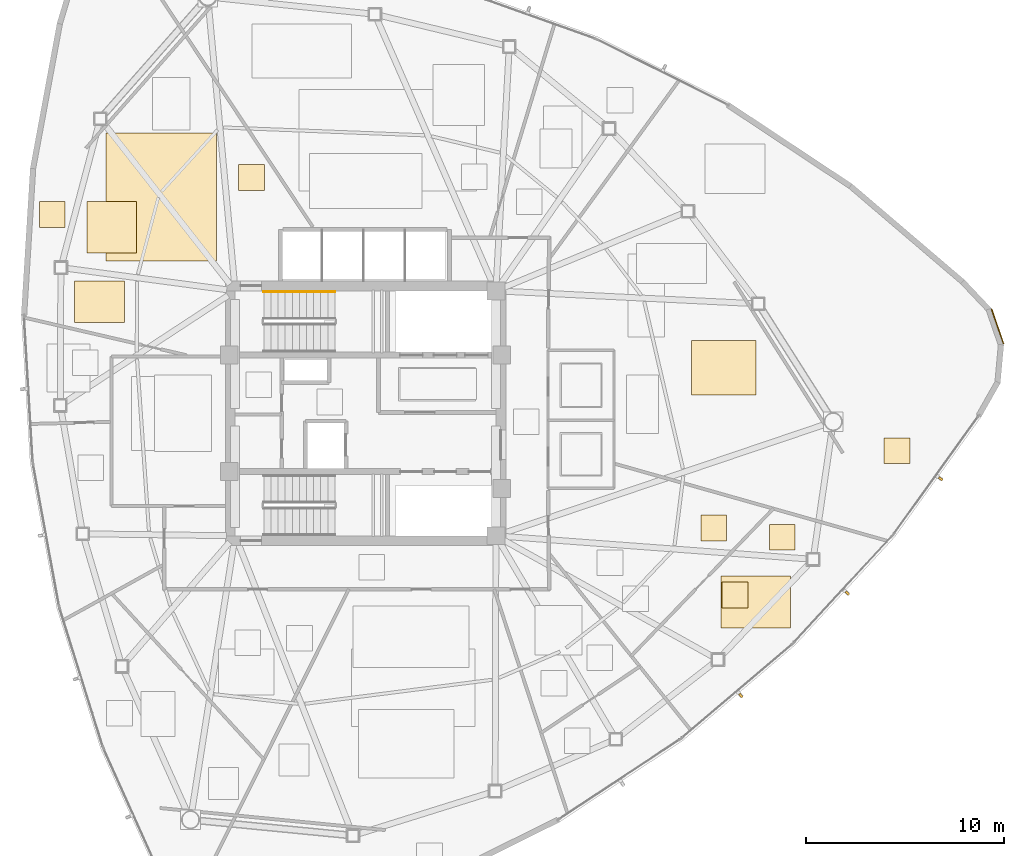
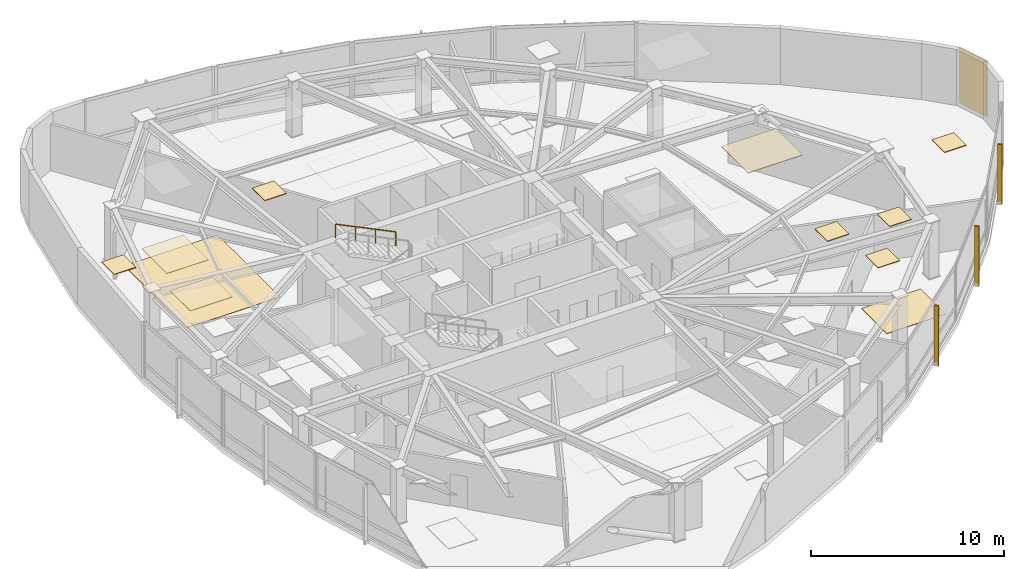
# One storey, part 16 of 17: 12 coverings, 3 shading devices, 1 railing.
"""IFC4 building model written with IfcOpenShell, lengths in metres."""

import ifcopenshell
import ifcopenshell.guid

model = None  # the IFC model being written
_history = None  # IfcOwnerHistory: only IFC2X3 demands one
_inside = {}  # id of a spatial element -> (the spatial element, [elements in it])
_under = {}  # id of a project, library or spatial element -> (it, [spatial elements below it])
_declared = {}  # id of a project -> (the project, [libraries it declares])
_typed = {}  # id of a type object -> (the type object, [elements of that type])
_made_of = {}  # id of a material, layer set ... -> (it, [elements and type objects made of it])


def new_model(schema):
    """Start an empty IFC model of exactly this schema.

    Asked for "IFC4X3", IfcOpenShell would pick the latest addendum, in which some entities
    have other attributes; the version numbers below select the first issue.
    IFC2X3 requires an IfcOwnerHistory on every rooted entity: one is made here for all.
    """
    global model, _history
    if schema == "IFC4X3":
        model = ifcopenshell.file(schema_version=(4, 3, 0, 0))
    else:
        model = ifcopenshell.file(schema=schema)
    _inside.clear()
    _under.clear()
    _declared.clear()
    _typed.clear()
    _made_of.clear()
    _history = None
    if model.schema == "IFC2X3":
        org = make("IfcOrganization", Name="unknown")
        user = make(
            "IfcPersonAndOrganization",
            ThePerson=make("IfcPerson", FamilyName="unknown"),
            TheOrganization=org,
        )
        app = make(
            "IfcApplication",
            ApplicationDeveloper=org,
            Version="unknown",
            ApplicationFullName="unknown",
            ApplicationIdentifier="unknown",
        )
        _history = make(
            "IfcOwnerHistory",
            OwningUser=user,
            OwningApplication=app,
            ChangeAction="ADDED",
            CreationDate=0,
        )
    return model


def make(cls, **values):
    """One entity of the class cls with the attributes given. An attribute that is None is left unset."""
    return model.create_entity(
        cls, **{name: value for name, value in values.items() if value is not None}
    )


def rooted(cls, **values):
    """An entity with a GlobalId (a new one), such as an element, a storey or a relation."""
    return make(cls, GlobalId=ifcopenshell.guid.new(), OwnerHistory=_history, **values)


def si_unit(unit_type, name, prefix=None):
    """IfcSIUnit, for example si_unit("LENGTHUNIT", "METRE", prefix="MILLI")."""
    return make("IfcSIUnit", UnitType=unit_type, Prefix=prefix, Name=name)


def assignment(units):
    """IfcUnitAssignment: the units of a project."""
    return None if units is None else make("IfcUnitAssignment", Units=units)


def point(xyz):
    """IfcCartesianPoint."""
    return None if xyz is None else make("IfcCartesianPoint", Coordinates=xyz)


def direction(xyz):
    """IfcDirection."""
    return None if xyz is None else make("IfcDirection", DirectionRatios=xyz)


def frame(location, z_axis=None, x_axis=None):
    """IfcAxis2Placement3D, a coordinate frame: its origin and axes. An axis left out is left unset."""
    return make(
        "IfcAxis2Placement3D",
        Location=point(location),
        Axis=direction(z_axis),
        RefDirection=direction(x_axis),
    )


def frame_2d(location, x_axis=None):
    """IfcAxis2Placement2D, a coordinate frame in the plane: its origin and x axis."""
    return make(
        "IfcAxis2Placement2D", Location=point(location), RefDirection=direction(x_axis)
    )


def origin():
    """The frame at (0, 0, 0) with its axes left unset."""
    return frame((0.0, 0.0, 0.0))


def origin_2d():
    """The frame at (0, 0) in the plane with its x axis left unset."""
    return frame_2d((0.0, 0.0))


def place(relative_to, where):
    """IfcLocalPlacement: puts the frame where relative to a parent placement (None: the world)."""
    return make(
        "IfcLocalPlacement", PlacementRelTo=relative_to, RelativePlacement=where
    )


def context(
    kind, dimensions, precision=None, world=None, true_north=None, identifier=None
):
    """IfcGeometricRepresentationContext, for example the 3D "Model" context."""
    return make(
        "IfcGeometricRepresentationContext",
        ContextIdentifier=identifier,
        ContextType=kind,
        CoordinateSpaceDimension=dimensions,
        Precision=precision,
        WorldCoordinateSystem=world,
        TrueNorth=true_north,
    )


def subcontext(parent, identifier, kind, view, scale=None):
    """IfcGeometricRepresentationSubContext, for example "Body" below "Model"."""
    return make(
        "IfcGeometricRepresentationSubContext",
        ContextIdentifier=identifier,
        ContextType=kind,
        ParentContext=parent,
        TargetScale=scale,
        TargetView=view,
    )


def project(units=None, contexts=None):
    """IfcProject with its units and contexts."""
    return rooted(
        "IfcProject",
        Name="project",
        RepresentationContexts=contexts,
        UnitsInContext=assignment(units),
    )


def spatial(cls, under=None, at=None, **own):
    """A site, building, storey or space (cls), placed at a placement, below another one or the project."""
    s = rooted(cls, ObjectPlacement=at, **own)
    if under is not None:
        _under.setdefault(under.id(), (under, []))[1].append(s)
    return s


def polyline(points):
    """IfcPolyline through the points."""
    return make("IfcPolyline", Points=[point(p) for p in points])


def profile(cls, at=None, kind="AREA", **sizes):
    """A parametric profile (cls). Its sizes go by their IFC names, for example OverallWidth=200.0."""
    return make(cls, ProfileType=kind, Position=at, **sizes)


def rectangle(**sizes):
    """IfcRectangleProfileDef."""
    return profile("IfcRectangleProfileDef", **sizes)


def outline(outer, holes=None, kind="AREA"):
    """IfcArbitraryClosedProfileDef: a profile drawn as a closed curve; with holes, ...WithVoids."""
    if holes is None:
        return make("IfcArbitraryClosedProfileDef", ProfileType=kind, OuterCurve=outer)
    return make(
        "IfcArbitraryProfileDefWithVoids",
        ProfileType=kind,
        OuterCurve=outer,
        InnerCurves=holes,
    )


def extrude(swept, where, along, depth):
    """IfcExtrudedAreaSolid: the profile swept, set in the frame where, extruded along a direction by depth."""
    return make(
        "IfcExtrudedAreaSolid",
        SweptArea=swept,
        Position=where,
        ExtrudedDirection=direction(along),
        Depth=depth,
    )


def shape(context_of_items, identifier, shape_type, items):
    """IfcShapeRepresentation: the items that make up one representation, for example the "Body"."""
    return make(
        "IfcShapeRepresentation",
        ContextOfItems=context_of_items,
        RepresentationIdentifier=identifier,
        RepresentationType=shape_type,
        Items=items,
    )


def source(mapping_origin, context_of_items, identifier, shape_type, items):
    """IfcRepresentationMap: a shape defined once, which mapped items show again and again."""
    return make(
        "IfcRepresentationMap",
        MappingOrigin=mapping_origin,
        MappedRepresentation=shape(context_of_items, identifier, shape_type, items),
    )


def transform(
    local_origin,
    x_axis=None,
    y_axis=None,
    z_axis=None,
    scale=None,
    scale2=None,
    scale3=None,
    uniform=True,
):
    """IfcCartesianTransformationOperator3D, or its non-uniform kind. x_axis, y_axis, z_axis: its Axis1, 2, 3."""
    if uniform:
        return make(
            "IfcCartesianTransformationOperator3D",
            Axis1=direction(x_axis),
            Axis2=direction(y_axis),
            LocalOrigin=point(local_origin),
            Scale=scale,
            Axis3=direction(z_axis),
        )
    return make(
        "IfcCartesianTransformationOperator3DnonUniform",
        Axis1=direction(x_axis),
        Axis2=direction(y_axis),
        LocalOrigin=point(local_origin),
        Scale=scale,
        Axis3=direction(z_axis),
        Scale2=scale2,
        Scale3=scale3,
    )


def mapped(mapping_source, mapping_target):
    """IfcMappedItem: shows the shape of a source again, moved by a transform."""
    return make(
        "IfcMappedItem", MappingSource=mapping_source, MappingTarget=mapping_target
    )


def material(Name=None, Category=None):
    """IfcMaterial."""
    return make("IfcMaterial", Name=Name, Category=Category)


def layer(
    of_material, thickness, ventilated=None, Name=None, Category=None, Priority=None
):
    """IfcMaterialLayer: one layer of a wall or slab, of a material (None: an air gap)."""
    return make(
        "IfcMaterialLayer",
        Material=of_material,
        LayerThickness=thickness,
        IsVentilated=ventilated,
        Name=Name,
        Category=Category,
        Priority=Priority,
    )


def layer_set(layers, Name=None):
    """IfcMaterialLayerSet."""
    return make("IfcMaterialLayerSet", MaterialLayers=layers, LayerSetName=Name)


def made_of(thing, what):
    """Note that an element or type object is made of a material, layer set ...; save() writes the relation."""
    if what is not None:
        _made_of.setdefault(what.id(), (what, []))[1].append(thing)
    return thing


def type_object(cls, material=None, **own):
    """A type object (cls), such as IfcWallType, which elements share."""
    return made_of(rooted(cls, **own), material)


def type_shapes(of_type, sources):
    """Give a type object the sources (RepresentationMaps) that its elements show as mapped items."""
    of_type.RepresentationMaps = sources


def element(
    cls,
    number,
    at=None,
    inside=None,
    cuts=None,
    type_object=None,
    material=None,
    context=None,
    identifier="Body",
    shape_type=None,
    held_by="IfcProductDefinitionShape",
    body=None,
    shapes=None,
    **own,
):
    """One element of the class cls, such as IfcWall. Its Tag is "e" and its number.

    at: its placement. inside: the storey or other place that contains it. cuts: it is an
    opening in that element (IfcRelVoidsElement). A single representation is given by context,
    identifier, shape_type and body (its items); several are given by shapes. held_by: the class
    of the entity that holds the representations. save() writes the other relations.
    """
    e = rooted(cls, Tag="e%d" % number, ObjectPlacement=at, **own)
    if body is not None:
        shapes = [shape(context, identifier, shape_type, body)]
    if shapes is not None:
        e.Representation = make(held_by, Representations=shapes)
    if inside is not None:
        _inside.setdefault(inside.id(), (inside, []))[1].append(e)
    if cuts is not None:
        rooted(
            "IfcRelVoidsElement", RelatingBuildingElement=cuts, RelatedOpeningElement=e
        )
    if type_object is not None:
        _typed.setdefault(type_object.id(), (type_object, []))[1].append(e)
    return made_of(e, material)


def aggregate(whole, parts):
    """IfcRelAggregates: a whole, such as a stair, and the parts it consists of."""
    return rooted("IfcRelAggregates", RelatingObject=whole, RelatedObjects=parts)


def save(model, path):
    """Write the relations noted so far, then the file.

    IfcRelAggregates (storeys below a building ...), IfcRelContainedInSpatialStructure (elements
    in a storey), IfcRelDefinesByType, IfcRelAssociatesMaterial and IfcRelDeclares: one each for
    every whole, place, type object, material and project.
    """
    for whole, parts in _under.values():
        aggregate(whole, parts)
    for where, things in _inside.values():
        rooted(
            "IfcRelContainedInSpatialStructure",
            RelatedElements=things,
            RelatingStructure=where,
        )
    for kind, things in _typed.values():
        rooted("IfcRelDefinesByType", RelatedObjects=things, RelatingType=kind)
    for what, things in _made_of.values():
        rooted("IfcRelAssociatesMaterial", RelatedObjects=things, RelatingMaterial=what)
    for by, libraries in _declared.values():
        rooted("IfcRelDeclares", RelatingContext=by, RelatedDefinitions=libraries)
    model.write(path)


model = new_model("IFC4")

# Units and contexts
model_context = context("Model", 3, precision=1e-05, world=origin(), true_north=direction((0.0, 1.0)))
body_context = subcontext(model_context, "Body", "Model", "MODEL_VIEW")
ifc_project = project(units=[si_unit("LENGTHUNIT", "METRE"), si_unit("AREAUNIT", "SQUARE_METRE"), si_unit("VOLUMEUNIT", "CUBIC_METRE"), si_unit("PLANEANGLEUNIT", "RADIAN"), si_unit("MASSUNIT", "GRAM", prefix="KILO")], contexts=[model_context])

# Site, building, storey
site_placement = place(None, origin())
site = spatial("IfcSite", under=ifc_project, at=site_placement, CompositionType="ELEMENT")
building_placement = place(site_placement, origin())
building = spatial("IfcBuilding", under=site, at=building_placement, Name="Tavelor Broadcast Tower", CompositionType="ELEMENT")
storey_placement = place(building_placement, frame((0.0, 0.0, 188.75)))
storey = spatial("IfcBuildingStorey", under=building, at=storey_placement, Name="L45", CompositionType="ELEMENT", Elevation=188.75)

# Covering
ifc_material_1 = material(Name="Copper-Bronze Anodized Aluminium", Category="aluminium")
ifc_layer_1 = layer(ifc_material_1, 0.050048828125)
ifc_layer_set_1 = layer_set([ifc_layer_1], Name="Copper-Bronze Anodized Aluminium")
covering_type_1 = type_object("IfcCoveringType", Name="Champagne-Bronze Corner Pier Metal Cladding 50 mm", PredefinedType="CLADDING", material=ifc_layer_set_1)
covering_1_placement = place(storey_placement, frame((81.99560546875, 49.402587890625, 0.02001953125), z_axis=(0.0, 0.0, 1.0), x_axis=(-0.326393150999, 0.945234103797, 0.0)))
element("IfcCovering", 1, at=covering_1_placement, inside=storey, type_object=covering_type_1, Name="L45 Champagne-Bronze Corner Cladding 23", PredefinedType="CLADDING", context=body_context, shape_type="SweptSolid", body=[
    extrude(rectangle(XDim=1.86279296875, YDim=0.050048828125, at=origin_2d()), origin(), (0.0, 0.0, 1.0), 3.510009765625),
])

# Railing
ifc_material_2 = material(Name="Steel S355", Category="steel")
railing_type = type_object("IfcRailingType", Name="Continuous Brushed Stainless Handrail 900 mm", PredefinedType="HANDRAIL", material=ifc_material_2)
railing_placement = place(storey_placement, frame((48.449951171875, 51.14990234375, 2.10009765625)))
element("IfcRailing", 2, at=railing_placement, inside=storey, type_object=railing_type, Name="L45 ST1 stair handrail 2", PredefinedType="HANDRAIL", context=body_context, shape_type="SweptSolid", body=[
    extrude(rectangle(XDim=0.048095703125, YDim=0.048095703125, at=origin_2d()), frame((0.0, 0.0, 0.8759765625), z_axis=(-0.899360859046, 0.0, 0.437207096483), x_axis=(0.0, -1.0, 0.0)), (0.0, 0.0, 1.0), 4.002685546875),
    extrude(rectangle(XDim=0.0419921875, YDim=0.0419921875, at=origin_2d()), origin(), (0.0, 0.0, 1.0), 0.851806640625),
    extrude(rectangle(XDim=0.0419921875, YDim=0.0419921875, at=origin_2d()), frame((-1.199951171875, 0.0, 0.583251953125)), (0.0, 0.0, 1.0), 0.851806640625),
    extrude(rectangle(XDim=0.0419921875, YDim=0.0419921875, at=origin_2d()), frame((-2.39990234375, 0.0, 1.166748046875)), (0.0, 0.0, 1.0), 0.851806640625),
    extrude(rectangle(XDim=0.0419921875, YDim=0.0419921875, at=origin_2d()), frame((-3.599853515625, 0.0, 1.75)), (0.0, 0.0, 1.0), 0.851806640625),
])

# Coverings
ifc_material_3 = material(Name="Acoustic Nylon Carpet Tile")
ifc_layer_2 = layer(ifc_material_3, 0.02001953125)
ifc_layer_set_2 = layer_set([ifc_layer_2], Name="Acoustic Nylon Carpet Tile")
covering_type_2 = type_object("IfcCoveringType", Name="Heavy-Duty Acoustic Broadcast Carpet Tile 20 mm", PredefinedType="FLOORING", material=ifc_layer_set_2)
covering_2_placement = place(storey_placement, origin())
element("IfcCovering", 3, at=covering_2_placement, inside=storey, type_object=covering_type_2, Name="L45 Broadcast Floor Finish 0679", PredefinedType="FLOORING", context=body_context, shape_type="SweptSolid", body=[
    extrude(outline(polyline([(67.9951171875, 34.135498046875), (71.52587890625, 34.135498046875), (71.52587890625, 36.75830078125), (67.9951171875, 36.75830078125), (67.9951171875, 34.135498046875)])), origin(), (0.0, 0.0, 1.0), 0.02001953125),
])
covering_3_placement = place(storey_placement, origin())
element("IfcCovering", 4, at=covering_3_placement, inside=storey, type_object=covering_type_2, Name="L45 Broadcast Floor Finish 0684", PredefinedType="FLOORING", context=body_context, shape_type="SweptSolid", body=[
    extrude(outline(polyline([(36.858642578125, 52.71435546875), (42.4453125, 52.71435546875), (42.4453125, 59.19189453125), (36.858642578125, 59.19189453125), (36.858642578125, 52.71435546875)])), origin(), (0.0, 0.0, 1.0), 0.02001953125),
])
ifc_material_4 = material(Name="Acoustic Mineral Fibre Tile")
ifc_layer_3 = layer(ifc_material_4, 0.0400390625)
ifc_layer_set_3 = layer_set([ifc_layer_3], Name="Acoustic Mineral Fibre Tile")
covering_type_3 = type_object("IfcCoveringType", Name="Suspended Acoustic Mineral-Fibre Office Ceiling 40 mm", PredefinedType="CEILING", material=ifc_layer_set_3)
covering_4_placement = place(storey_placement, frame((0.0, 0.0, 3.510009765625)))
element("IfcCovering", 5, at=covering_4_placement, inside=storey, type_object=covering_type_3, Name="L45 Suspended Acoustic Ceiling 1881", PredefinedType="CEILING", context=body_context, shape_type="SweptSolid", body=[
    extrude(outline(polyline([(66.510986328125, 45.92822265625), (69.765625, 45.92822265625), (69.765625, 48.698486328125), (66.510986328125, 48.698486328125), (66.510986328125, 45.92822265625)])), origin(), (0.0, 0.0, 1.0), 0.0400390625),
])
covering_5_placement = place(storey_placement, frame((0.0, 0.0, 3.510009765625)))
element("IfcCovering", 6, at=covering_5_placement, inside=storey, type_object=covering_type_3, Name="L45 Suspended Acoustic Ceiling 1882", PredefinedType="CEILING", context=body_context, shape_type="SweptSolid", body=[
    extrude(outline(polyline([(76.258544921875, 42.461181640625), (77.55859375, 42.461181640625), (77.55859375, 43.760986328125), (76.258544921875, 43.760986328125), (76.258544921875, 42.461181640625)])), origin(), (0.0, 0.0, 1.0), 0.0400390625),
])
covering_6_placement = place(storey_placement, frame((0.0, 0.0, 3.510009765625)))
element("IfcCovering", 7, at=covering_6_placement, inside=storey, type_object=covering_type_3, Name="L45 Suspended Acoustic Ceiling 1884", PredefinedType="CEILING", context=body_context, shape_type="SweptSolid", body=[
    extrude(outline(polyline([(68.058837890625, 35.154296875), (69.35888671875, 35.154296875), (69.35888671875, 36.454345703125), (68.058837890625, 36.454345703125), (68.058837890625, 35.154296875)])), origin(), (0.0, 0.0, 1.0), 0.0400390625),
])
covering_7_placement = place(storey_placement, frame((0.0, 0.0, 3.510009765625)))
element("IfcCovering", 8, at=covering_7_placement, inside=storey, type_object=covering_type_3, Name="L45 Suspended Acoustic Ceiling 1885", PredefinedType="CEILING", context=body_context, shape_type="SweptSolid", body=[
    extrude(outline(polyline([(70.444580078125, 38.077880859375), (71.74462890625, 38.077880859375), (71.74462890625, 39.3779296875), (70.444580078125, 39.3779296875), (70.444580078125, 38.077880859375)])), origin(), (0.0, 0.0, 1.0), 0.0400390625),
])
covering_8_placement = place(storey_placement, frame((0.0, 0.0, 3.510009765625)))
element("IfcCovering", 9, at=covering_8_placement, inside=storey, type_object=covering_type_3, Name="L45 Suspended Acoustic Ceiling 1894", PredefinedType="CEILING", context=body_context, shape_type="SweptSolid", body=[
    extrude(outline(polyline([(33.496337890625, 54.415771484375), (34.79638671875, 54.415771484375), (34.79638671875, 55.7158203125), (33.496337890625, 55.7158203125), (33.496337890625, 54.415771484375)])), origin(), (0.0, 0.0, 1.0), 0.0400390625),
])
covering_9_placement = place(storey_placement, frame((0.0, 0.0, 3.510009765625)))
element("IfcCovering", 10, at=covering_9_placement, inside=storey, type_object=covering_type_3, Name="L45 Suspended Acoustic Ceiling 1895", PredefinedType="CEILING", context=body_context, shape_type="SweptSolid", body=[
    extrude(outline(polyline([(35.90185546875, 53.112548828125), (38.393310546875, 53.112548828125), (38.393310546875, 55.72216796875), (35.90185546875, 55.72216796875), (35.90185546875, 53.112548828125)])), origin(), (0.0, 0.0, 1.0), 0.0400390625),
])
covering_10_placement = place(storey_placement, frame((0.0, 0.0, 3.510009765625)))
element("IfcCovering", 11, at=covering_10_placement, inside=storey, type_object=covering_type_3, Name="L45 Suspended Acoustic Ceiling 1897", PredefinedType="CEILING", context=body_context, shape_type="SweptSolid", body=[
    extrude(outline(polyline([(43.580078125, 56.29150390625), (44.880126953125, 56.29150390625), (44.880126953125, 57.59130859375), (43.580078125, 57.59130859375), (43.580078125, 56.29150390625)])), origin(), (0.0, 0.0, 1.0), 0.0400390625),
])
covering_11_placement = place(storey_placement, frame((0.0, 0.0, 3.510009765625)))
element("IfcCovering", 12, at=covering_11_placement, inside=storey, type_object=covering_type_3, Name="L45 Suspended Acoustic Ceiling 1898", PredefinedType="CEILING", context=body_context, shape_type="SweptSolid", body=[
    extrude(outline(polyline([(35.266845703125, 49.59326171875), (37.797119140625, 49.59326171875), (37.797119140625, 51.692138671875), (35.266845703125, 51.692138671875), (35.266845703125, 49.59326171875)])), origin(), (0.0, 0.0, 1.0), 0.0400390625),
])
covering_12_placement = place(storey_placement, frame((0.0, 0.0, 3.510009765625)))
element("IfcCovering", 13, at=covering_12_placement, inside=storey, type_object=covering_type_3, Name="L45 Suspended Acoustic Ceiling 1906", PredefinedType="CEILING", context=body_context, shape_type="SweptSolid", body=[
    extrude(outline(polyline([(66.981689453125, 38.54150390625), (68.28173828125, 38.54150390625), (68.28173828125, 39.841552734375), (66.981689453125, 39.841552734375), (66.981689453125, 38.54150390625)])), origin(), (0.0, 0.0, 1.0), 0.0400390625),
])

# Shading devices
ifc_material_5 = material(Name="Kiln-Fired Glazed Terracotta", Category="masonry")
shading_device_type = type_object("IfcShadingDeviceType", Name="Extruded Terracotta Baguette Sun-Screen 110x240", PredefinedType="JALOUSIE", material=ifc_material_5)
shared_shape = source(origin(), body_context, "Body", "SweptSolid", [
    extrude(rectangle(XDim=0.110107421875, YDim=0.239990234375, at=origin_2d()), origin(), (0.0, 0.0, 1.0), 3.7900390625),
])
type_shapes(shading_device_type, [shared_shape])
for number, where, z_axis, x_axis, name in (
    (14, (69.00048828125, 30.714111328125, -0.260009765625), (0.0, 0.0, 1.0), (0.761764497661, 0.647854034566, 0.0), "L45 Terracotta Baguette Fin 474"),
    (15, (74.39208984375, 35.8935546875, -0.260009765625), (0.0, 0.0, 1.0), (0.677774776543, 0.735269577966, 0.0), "L45 Terracotta Baguette Fin 475"),
    (16, (79.1171875, 41.687255859375, -0.260009765625), (0.0, 0.0, 1.0), (0.583824646426, 0.811879783112, 0.0), "L45 Terracotta Baguette Fin 476"),
):
    element("IfcShadingDevice", number, at=place(storey_placement, frame(where, z_axis=z_axis, x_axis=x_axis)), inside=storey, type_object=shading_device_type, Name=name, PredefinedType="JALOUSIE", context=body_context, shape_type="MappedRepresentation", body=[
        mapped(shared_shape, transform((0.0, 0.0, 0.0), scale=1.0)),
    ])

save(model, "model.ifc")
